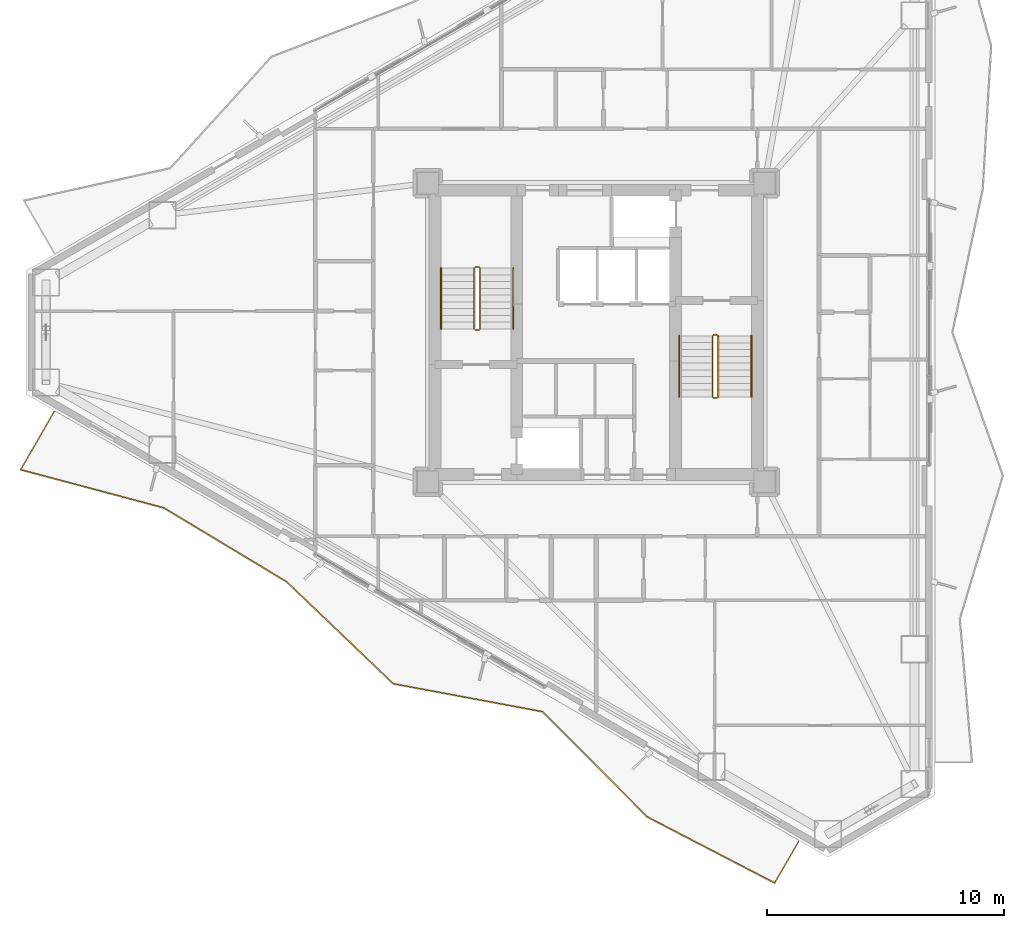
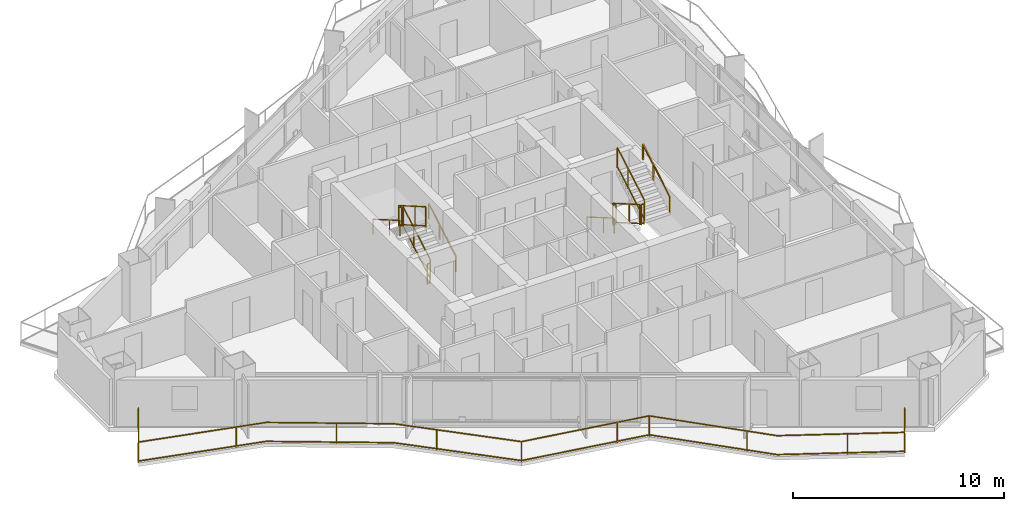
# One storey, part 22 of 23: 13 railings.
"""IFC4 building model written with IfcOpenShell, lengths in metres."""

from ifc_helpers import new_model, si_unit, direction, frame, origin, origin_2d, place, context, subcontext, project, spatial, rectangle, extrude, material, type_object, element, save


model = new_model("IFC4")

# Units and contexts
model_context = context("Model", 3, precision=1e-05, world=origin(), true_north=direction((0.0, 1.0)))
body_context = subcontext(model_context, "Body", "Model", "MODEL_VIEW")
ifc_project = project(units=[si_unit("LENGTHUNIT", "METRE"), si_unit("AREAUNIT", "SQUARE_METRE"), si_unit("VOLUMEUNIT", "CUBIC_METRE"), si_unit("PLANEANGLEUNIT", "RADIAN"), si_unit("MASSUNIT", "GRAM", prefix="KILO")], contexts=[model_context])

# Site, building, storey
site_placement = place(None, origin())
site = spatial("IfcSite", under=ifc_project, at=site_placement, CompositionType="ELEMENT")
building_placement = place(site_placement, origin())
building = spatial("IfcBuilding", under=site, at=building_placement, Name="Mersakhor Tower and Convention Hall", CompositionType="ELEMENT")
storey_placement = place(building_placement, frame((0.0, 0.0, 73.5)))
storey = spatial("IfcBuildingStorey", under=building, at=storey_placement, Name="L19", CompositionType="ELEMENT", Elevation=73.5)

# Railings
ifc_material_1 = material(Name="Powder-coated galvanised steel and laminated glass balustrade", Category="steel")
railing_type_1 = type_object("IfcRailingType", Name="RL-BAL-1200", PredefinedType="BALUSTRADE", material=ifc_material_1)
railing_1_placement = place(storey_placement, frame((6.1240234375, 23.4052734375, 0.0)))
element("IfcRailing", 1, at=railing_1_placement, inside=storey, type_object=railing_type_1, Name="L19 Sinusoidal Balcony Balustrade F3", PredefinedType="BALUSTRADE", context=body_context, shape_type="SweptSolid", body=[
    extrude(rectangle(XDim=0.048095703125, YDim=0.048095703125, at=origin_2d()), frame((0.0, 0.0, 1.17578125), z_axis=(-0.499947271324, -0.866055844559, 0.0), x_axis=(0.866055844559, -0.499947271324, 0.0)), (0.0, 0.0, 1.0), 2.820068359375),
    extrude(rectangle(XDim=0.048095703125, YDim=0.048095703125, at=origin_2d()), frame((0.0, 0.0, 0.080078125), z_axis=(-0.499947271324, -0.866055844559, 0.0), x_axis=(0.866055844559, -0.499947271324, 0.0)), (0.0, 0.0, 1.0), 2.820068359375),
    extrude(rectangle(XDim=0.048095703125, YDim=0.048095703125, at=origin_2d()), frame((-1.409912109375, -2.4423828125, 1.17578125), z_axis=(0.966227820604, -0.25768934532, 0.0), x_axis=(0.25768934532, 0.966227820604, 0.0)), (0.0, 0.0, 1.0), 6.261474609375),
    extrude(rectangle(XDim=0.048095703125, YDim=0.048095703125, at=origin_2d()), frame((-1.409912109375, -2.4423828125, 0.080078125), z_axis=(0.966227820604, -0.25768934532, 0.0), x_axis=(0.25768934532, 0.966227820604, 0.0)), (0.0, 0.0, 1.0), 6.261474609375),
    extrude(rectangle(XDim=0.048095703125, YDim=0.048095703125, at=origin_2d()), frame((4.64013671875, -4.055908203125, 1.17578125), z_axis=(0.856754644688, -0.515724227475, 0.0), x_axis=(0.515724227475, 0.856754644688, 0.0)), (0.0, 0.0, 1.0), 6.047119140625),
    extrude(rectangle(XDim=0.048095703125, YDim=0.048095703125, at=origin_2d()), frame((4.64013671875, -4.055908203125, 0.080078125), z_axis=(0.856754644688, -0.515724227475, 0.0), x_axis=(0.515724227475, 0.856754644688, 0.0)), (0.0, 0.0, 1.0), 6.047119140625),
    extrude(rectangle(XDim=0.048095703125, YDim=0.048095703125, at=origin_2d()), frame((9.821044921875, -7.174560546875, 1.17578125), z_axis=(0.722699783625, -0.691162081387, 0.0), x_axis=(0.691162081387, 0.722699783625, 0.0)), (0.0, 0.0, 1.0), 6.223876953125),
    extrude(rectangle(XDim=0.048095703125, YDim=0.048095703125, at=origin_2d()), frame((9.821044921875, -7.174560546875, 0.080078125), z_axis=(0.722699783625, -0.691162081387, 0.0), x_axis=(0.691162081387, 0.722699783625, 0.0)), (0.0, 0.0, 1.0), 6.223876953125),
    extrude(rectangle(XDim=0.048095703125, YDim=0.048095703125, at=origin_2d()), frame((14.319091796875, -11.476318359375, 1.17578125), z_axis=(0.982934219197, -0.183957388357, 0.0), x_axis=(0.183957388357, 0.982934219197, 0.0)), (0.0, 0.0, 1.0), 6.41015625),
    extrude(rectangle(XDim=0.048095703125, YDim=0.048095703125, at=origin_2d()), frame((14.319091796875, -11.476318359375, 0.080078125), z_axis=(0.982934219197, -0.183957388357, 0.0), x_axis=(0.183957388357, 0.982934219197, 0.0)), (0.0, 0.0, 1.0), 6.41015625),
    extrude(rectangle(XDim=0.048095703125, YDim=0.048095703125, at=origin_2d()), frame((20.619873046875, -12.655517578125, 1.17578125), z_axis=(0.705389657667, -0.708819744968, 0.0), x_axis=(0.708819744968, 0.705389657667, 0.0)), (0.0, 0.0, 1.0), 6.263427734375),
    extrude(rectangle(XDim=0.048095703125, YDim=0.048095703125, at=origin_2d()), frame((20.619873046875, -12.655517578125, 0.080078125), z_axis=(0.705389657667, -0.708819744968, 0.0), x_axis=(0.708819744968, 0.705389657667, 0.0)), (0.0, 0.0, 1.0), 6.263427734375),
    extrude(rectangle(XDim=0.048095703125, YDim=0.048095703125, at=origin_2d()), frame((25.0380859375, -17.09521484375, 1.17578125), z_axis=(0.887664158638, -0.460491413024, 0.0), x_axis=(0.460491413024, 0.887664158638, 0.0)), (0.0, 0.0, 1.0), 6.052490234375),
    extrude(rectangle(XDim=0.048095703125, YDim=0.048095703125, at=origin_2d()), frame((25.0380859375, -17.09521484375, 0.080078125), z_axis=(0.887664158638, -0.460491413024, 0.0), x_axis=(0.460491413024, 0.887664158638, 0.0)), (0.0, 0.0, 1.0), 6.052490234375),
    extrude(rectangle(XDim=0.048095703125, YDim=0.048095703125, at=origin_2d()), frame((30.41064453125, -19.88232421875, 1.17578125), z_axis=(0.499960381356, 0.866048276411, 0.0), x_axis=(-0.866048276411, 0.499960381356, 0.0)), (0.0, 0.0, 1.0), 2.013427734375),
    extrude(rectangle(XDim=0.048095703125, YDim=0.048095703125, at=origin_2d()), frame((30.41064453125, -19.88232421875, 0.080078125), z_axis=(0.499960381356, 0.866048276411, 0.0), x_axis=(-0.866048276411, 0.499960381356, 0.0)), (0.0, 0.0, 1.0), 2.013427734375),
    extrude(rectangle(XDim=0.0419921875, YDim=0.0419921875, at=origin_2d()), origin(), (0.0, 0.0, 1.0), 1.15185546875),
    extrude(rectangle(XDim=0.0419921875, YDim=0.0419921875, at=origin_2d()), frame((-1.409912109375, -2.4423828125, 0.0)), (0.0, 0.0, 1.0), 1.15185546875),
    extrude(rectangle(XDim=0.0419921875, YDim=0.0419921875, at=origin_2d()), frame((3.22802734375, -3.67919921875, 0.0)), (0.0, 0.0, 1.0), 1.15185546875),
    extrude(rectangle(XDim=0.0419921875, YDim=0.0419921875, at=origin_2d()), frame((7.50048828125, -5.777587890625, 0.0)), (0.0, 0.0, 1.0), 1.15185546875),
    extrude(rectangle(XDim=0.0419921875, YDim=0.0419921875, at=origin_2d()), frame((11.33251953125, -8.6201171875, 0.0)), (0.0, 0.0, 1.0), 1.15185546875),
    extrude(rectangle(XDim=0.0419921875, YDim=0.0419921875, at=origin_2d()), frame((14.319091796875, -11.476318359375, 0.0)), (0.0, 0.0, 1.0), 1.15185546875),
    extrude(rectangle(XDim=0.0419921875, YDim=0.0419921875, at=origin_2d()), frame((19.037109375, -12.359375, 0.0)), (0.0, 0.0, 1.0), 1.15185546875),
    extrude(rectangle(XDim=0.0419921875, YDim=0.0419921875, at=origin_2d()), frame((20.619873046875, -12.655517578125, 0.0)), (0.0, 0.0, 1.0), 1.15185546875),
    extrude(rectangle(XDim=0.0419921875, YDim=0.0419921875, at=origin_2d()), frame((24.005859375, -16.057861328125, 0.0)), (0.0, 0.0, 1.0), 1.15185546875),
    extrude(rectangle(XDim=0.0419921875, YDim=0.0419921875, at=origin_2d()), frame((27.999755859375, -18.631591796875, 0.0)), (0.0, 0.0, 1.0), 1.15185546875),
    extrude(rectangle(XDim=0.0419921875, YDim=0.0419921875, at=origin_2d()), frame((30.41064453125, -19.88232421875, 0.0)), (0.0, 0.0, 1.0), 1.15185546875),
    extrude(rectangle(XDim=0.0419921875, YDim=0.0419921875, at=origin_2d()), frame((31.417236328125, -18.138671875, 0.0)), (0.0, 0.0, 1.0), 1.15185546875),
])
ifc_material_2 = material(Name="Brushed stainless steel handrail", Category="steel")
railing_type_2 = type_object("IfcRailingType", Name="RL-HR-900", PredefinedType="HANDRAIL", material=ifc_material_2)
railing_2_placement = place(storey_placement, frame((25.5, 26.89990234375, 0.1650390625)))
element("IfcRailing", 2, at=railing_2_placement, inside=storey, type_object=railing_type_2, Name="L19 ST-1 stair handrail 1", PredefinedType="HANDRAIL", context=body_context, shape_type="SweptSolid", body=[
    extrude(rectangle(XDim=0.048095703125, YDim=0.048095703125, at=origin_2d()), frame((0.0, 0.0, 0.8759765625), z_axis=(0.0, 0.865461999751, 0.500974577186), x_axis=(-1.0, 0.0, 0.0)), (0.0, 0.0, 1.0), 2.9638671875),
    extrude(rectangle(XDim=0.0419921875, YDim=0.0419921875, at=origin_2d()), origin(), (0.0, 0.0, 1.0), 0.851806640625),
    extrude(rectangle(XDim=0.0419921875, YDim=0.0419921875, at=origin_2d()), frame((0.0, 1.557861328125, 0.90185546875)), (0.0, 0.0, 1.0), 0.851806640625),
    extrude(rectangle(XDim=0.0419921875, YDim=0.0419921875, at=origin_2d()), frame((0.0, 2.565185546875, 1.48486328125)), (0.0, 0.0, 1.0), 0.851806640625),
])
railing_3_placement = place(storey_placement, frame((22.449951171875, 29.465087890625, 1.81494140625)))
element("IfcRailing", 3, at=railing_3_placement, inside=storey, type_object=railing_type_2, Name="L19 ST-1 stair handrail 2", PredefinedType="HANDRAIL", context=body_context, shape_type="SweptSolid", body=[
    extrude(rectangle(XDim=0.048095703125, YDim=0.048095703125, at=origin_2d()), frame((0.0, 0.0, 0.8759765625), z_axis=(0.0, -0.865426285481, 0.501036270542), x_axis=(1.0, 0.0, 0.0)), (0.0, 0.0, 1.0), 2.964111328125),
    extrude(rectangle(XDim=0.0419921875, YDim=0.0419921875, at=origin_2d()), origin(), (0.0, 0.0, 1.0), 0.851806640625),
    extrude(rectangle(XDim=0.0419921875, YDim=0.0419921875, at=origin_2d()), frame((0.0, -1.557861328125, 0.90185546875)), (0.0, 0.0, 1.0), 0.851806640625),
    extrude(rectangle(XDim=0.0419921875, YDim=0.0419921875, at=origin_2d()), frame((0.0, -2.565185546875, 1.485107421875)), (0.0, 0.0, 1.0), 0.851806640625),
])
railing_4_placement = place(storey_placement, frame((32.5, 26.60009765625, 0.1650390625)))
element("IfcRailing", 4, at=railing_4_placement, inside=storey, type_object=railing_type_2, Name="L19 ST-2 stair handrail 1", PredefinedType="HANDRAIL", context=body_context, shape_type="SweptSolid", body=[
    extrude(rectangle(XDim=0.048095703125, YDim=0.048095703125, at=origin_2d()), frame((0.0, 0.0, 0.8759765625), z_axis=(0.0, -0.865461999751, 0.500974577186), x_axis=(1.0, 0.0, 0.0)), (0.0, 0.0, 1.0), 2.9638671875),
    extrude(rectangle(XDim=0.0419921875, YDim=0.0419921875, at=origin_2d()), origin(), (0.0, 0.0, 1.0), 0.851806640625),
    extrude(rectangle(XDim=0.0419921875, YDim=0.0419921875, at=origin_2d()), frame((0.0, -1.557861328125, 0.90185546875)), (0.0, 0.0, 1.0), 0.851806640625),
    extrude(rectangle(XDim=0.0419921875, YDim=0.0419921875, at=origin_2d()), frame((0.0, -2.565185546875, 1.48486328125)), (0.0, 0.0, 1.0), 0.851806640625),
])
railing_5_placement = place(storey_placement, frame((35.550048828125, 24.034912109375, 1.81494140625)))
element("IfcRailing", 5, at=railing_5_placement, inside=storey, type_object=railing_type_2, Name="L19 ST-2 stair handrail 2", PredefinedType="HANDRAIL", context=body_context, shape_type="SweptSolid", body=[
    extrude(rectangle(XDim=0.048095703125, YDim=0.048095703125, at=origin_2d()), frame((0.0, 0.0, 0.8759765625), z_axis=(0.0, 0.865426285481, 0.501036270542), x_axis=(-1.0, 0.0, 0.0)), (0.0, 0.0, 1.0), 2.964111328125),
    extrude(rectangle(XDim=0.0419921875, YDim=0.0419921875, at=origin_2d()), origin(), (0.0, 0.0, 1.0), 0.851806640625),
    extrude(rectangle(XDim=0.0419921875, YDim=0.0419921875, at=origin_2d()), frame((0.0, 1.557861328125, 0.90185546875)), (0.0, 0.0, 1.0), 0.851806640625),
    extrude(rectangle(XDim=0.0419921875, YDim=0.0419921875, at=origin_2d()), frame((0.0, 2.565185546875, 1.485107421875)), (0.0, 0.0, 1.0), 0.851806640625),
])
ifc_material_3 = material(Name="Painted steel stair balustrade S355", Category="steel")
railing_type_3 = type_object("IfcRailingType", Name="RL-STG-1200", PredefinedType="BALUSTRADE", material=ifc_material_3)
railing_6_placement = place(storey_placement, frame((24.10009765625, 26.89990234375, 0.1650390625)))
element("IfcRailing", 6, at=railing_6_placement, inside=storey, type_object=railing_type_3, Name="L19 ST-1 stair guard 1", PredefinedType="BALUSTRADE", context=body_context, shape_type="SweptSolid", body=[
    extrude(rectangle(XDim=0.048095703125, YDim=0.048095703125, at=origin_2d()), frame((0.0, 0.0, 1.17578125), z_axis=(0.0, 0.865461999751, 0.500974577186), x_axis=(-1.0, 0.0, 0.0)), (0.0, 0.0, 1.0), 2.9638671875),
    extrude(rectangle(XDim=0.048095703125, YDim=0.048095703125, at=origin_2d()), frame((0.0, 0.0, 0.080078125), z_axis=(0.0, 0.865461999751, 0.500974577186), x_axis=(-1.0, 0.0, 0.0)), (0.0, 0.0, 1.0), 2.9638671875),
    extrude(rectangle(XDim=0.0419921875, YDim=0.0419921875, at=origin_2d()), origin(), (0.0, 0.0, 1.0), 1.15185546875),
    extrude(rectangle(XDim=0.0419921875, YDim=0.0419921875, at=origin_2d()), frame((0.0, 1.557861328125, 0.90185546875)), (0.0, 0.0, 1.0), 1.15185546875),
    extrude(rectangle(XDim=0.0419921875, YDim=0.0419921875, at=origin_2d()), frame((0.0, 2.565185546875, 1.48486328125)), (0.0, 0.0, 1.0), 1.15185546875),
])
railing_7_placement = place(storey_placement, frame((24.050048828125, 29.514892578125, 1.64990234375)))
element("IfcRailing", 7, at=railing_7_placement, inside=storey, type_object=railing_type_3, Name="L19 ST-1 stair guard 2", PredefinedType="BALUSTRADE", context=body_context, shape_type="SweptSolid", body=[
    extrude(rectangle(XDim=0.048095703125, YDim=0.048095703125, at=origin_2d()), frame((0.0, 0.0, 1.17578125), z_axis=(-1.0, 0.0, 0.0), x_axis=(0.0, -1.0, 0.0)), (0.0, 0.0, 1.0), 0.150146484375),
    extrude(rectangle(XDim=0.048095703125, YDim=0.048095703125, at=origin_2d()), frame((0.0, 0.0, 0.080078125), z_axis=(-1.0, 0.0, 0.0), x_axis=(0.0, -1.0, 0.0)), (0.0, 0.0, 1.0), 0.150146484375),
    extrude(rectangle(XDim=0.0419921875, YDim=0.0419921875, at=origin_2d()), origin(), (0.0, 0.0, 1.0), 1.15185546875),
    extrude(rectangle(XDim=0.0419921875, YDim=0.0419921875, at=origin_2d()), frame((-0.150146484375, 0.0, 0.0)), (0.0, 0.0, 1.0), 1.15185546875),
])
railing_8_placement = place(storey_placement, frame((23.85009765625, 29.465087890625, 1.81494140625)))
element("IfcRailing", 8, at=railing_8_placement, inside=storey, type_object=railing_type_3, Name="L19 ST-1 stair guard 3", PredefinedType="BALUSTRADE", context=body_context, shape_type="SweptSolid", body=[
    extrude(rectangle(XDim=0.048095703125, YDim=0.048095703125, at=origin_2d()), frame((0.0, 0.0, 1.17578125), z_axis=(0.0, -0.865426285481, 0.501036270542), x_axis=(1.0, 0.0, 0.0)), (0.0, 0.0, 1.0), 2.964111328125),
    extrude(rectangle(XDim=0.048095703125, YDim=0.048095703125, at=origin_2d()), frame((0.0, 0.0, 0.080078125), z_axis=(0.0, -0.865426285481, 0.501036270542), x_axis=(1.0, 0.0, 0.0)), (0.0, 0.0, 1.0), 2.964111328125),
    extrude(rectangle(XDim=0.0419921875, YDim=0.0419921875, at=origin_2d()), origin(), (0.0, 0.0, 1.0), 1.15185546875),
    extrude(rectangle(XDim=0.0419921875, YDim=0.0419921875, at=origin_2d()), frame((0.0, -1.557861328125, 0.90185546875)), (0.0, 0.0, 1.0), 1.15185546875),
    extrude(rectangle(XDim=0.0419921875, YDim=0.0419921875, at=origin_2d()), frame((0.0, -2.565185546875, 1.485107421875)), (0.0, 0.0, 1.0), 1.15185546875),
])
railing_9_placement = place(storey_placement, frame((24.050048828125, 26.85009765625, 0.0)))
element("IfcRailing", 9, at=railing_9_placement, inside=storey, type_object=railing_type_3, Name="L19 ST-1 stair guard 4", PredefinedType="BALUSTRADE", context=body_context, shape_type="SweptSolid", body=[
    extrude(rectangle(XDim=0.048095703125, YDim=0.048095703125, at=origin_2d()), frame((0.0, 0.0, 1.17578125), z_axis=(-1.0, 0.0, 0.0), x_axis=(0.0, -1.0, 0.0)), (0.0, 0.0, 1.0), 0.150146484375),
    extrude(rectangle(XDim=0.048095703125, YDim=0.048095703125, at=origin_2d()), frame((0.0, 0.0, 0.080078125), z_axis=(-1.0, 0.0, 0.0), x_axis=(0.0, -1.0, 0.0)), (0.0, 0.0, 1.0), 0.150146484375),
    extrude(rectangle(XDim=0.0419921875, YDim=0.0419921875, at=origin_2d()), origin(), (0.0, 0.0, 1.0), 1.15185546875),
    extrude(rectangle(XDim=0.0419921875, YDim=0.0419921875, at=origin_2d()), frame((-0.150146484375, 0.0, 0.0)), (0.0, 0.0, 1.0), 1.15185546875),
])
railing_10_placement = place(storey_placement, frame((33.89990234375, 26.60009765625, 0.1650390625)))
element("IfcRailing", 10, at=railing_10_placement, inside=storey, type_object=railing_type_3, Name="L19 ST-2 stair guard 1", PredefinedType="BALUSTRADE", context=body_context, shape_type="SweptSolid", body=[
    extrude(rectangle(XDim=0.048095703125, YDim=0.048095703125, at=origin_2d()), frame((0.0, 0.0, 1.17578125), z_axis=(0.0, -0.865461999751, 0.500974577186), x_axis=(1.0, 0.0, 0.0)), (0.0, 0.0, 1.0), 2.9638671875),
    extrude(rectangle(XDim=0.048095703125, YDim=0.048095703125, at=origin_2d()), frame((0.0, 0.0, 0.080078125), z_axis=(0.0, -0.865461999751, 0.500974577186), x_axis=(1.0, 0.0, 0.0)), (0.0, 0.0, 1.0), 2.9638671875),
    extrude(rectangle(XDim=0.0419921875, YDim=0.0419921875, at=origin_2d()), origin(), (0.0, 0.0, 1.0), 1.15185546875),
    extrude(rectangle(XDim=0.0419921875, YDim=0.0419921875, at=origin_2d()), frame((0.0, -1.557861328125, 0.90185546875)), (0.0, 0.0, 1.0), 1.15185546875),
    extrude(rectangle(XDim=0.0419921875, YDim=0.0419921875, at=origin_2d()), frame((0.0, -2.565185546875, 1.48486328125)), (0.0, 0.0, 1.0), 1.15185546875),
])
railing_11_placement = place(storey_placement, frame((33.949951171875, 23.985107421875, 1.64990234375)))
element("IfcRailing", 11, at=railing_11_placement, inside=storey, type_object=railing_type_3, Name="L19 ST-2 stair guard 2", PredefinedType="BALUSTRADE", context=body_context, shape_type="SweptSolid", body=[
    extrude(rectangle(XDim=0.048095703125, YDim=0.048095703125, at=origin_2d()), frame((0.0, 0.0, 1.17578125), z_axis=(1.0, 0.0, 0.0), x_axis=(0.0, 1.0, 0.0)), (0.0, 0.0, 1.0), 0.150146484375),
    extrude(rectangle(XDim=0.048095703125, YDim=0.048095703125, at=origin_2d()), frame((0.0, 0.0, 0.080078125), z_axis=(1.0, 0.0, 0.0), x_axis=(0.0, 1.0, 0.0)), (0.0, 0.0, 1.0), 0.150146484375),
    extrude(rectangle(XDim=0.0419921875, YDim=0.0419921875, at=origin_2d()), origin(), (0.0, 0.0, 1.0), 1.15185546875),
    extrude(rectangle(XDim=0.0419921875, YDim=0.0419921875, at=origin_2d()), frame((0.150146484375, 0.0, 0.0)), (0.0, 0.0, 1.0), 1.15185546875),
])
railing_12_placement = place(storey_placement, frame((34.14990234375, 24.034912109375, 1.81494140625)))
element("IfcRailing", 12, at=railing_12_placement, inside=storey, type_object=railing_type_3, Name="L19 ST-2 stair guard 3", PredefinedType="BALUSTRADE", context=body_context, shape_type="SweptSolid", body=[
    extrude(rectangle(XDim=0.048095703125, YDim=0.048095703125, at=origin_2d()), frame((0.0, 0.0, 1.17578125), z_axis=(0.0, 0.865426285481, 0.501036270542), x_axis=(-1.0, 0.0, 0.0)), (0.0, 0.0, 1.0), 2.964111328125),
    extrude(rectangle(XDim=0.048095703125, YDim=0.048095703125, at=origin_2d()), frame((0.0, 0.0, 0.080078125), z_axis=(0.0, 0.865426285481, 0.501036270542), x_axis=(-1.0, 0.0, 0.0)), (0.0, 0.0, 1.0), 2.964111328125),
    extrude(rectangle(XDim=0.0419921875, YDim=0.0419921875, at=origin_2d()), origin(), (0.0, 0.0, 1.0), 1.15185546875),
    extrude(rectangle(XDim=0.0419921875, YDim=0.0419921875, at=origin_2d()), frame((0.0, 1.557861328125, 0.90185546875)), (0.0, 0.0, 1.0), 1.15185546875),
    extrude(rectangle(XDim=0.0419921875, YDim=0.0419921875, at=origin_2d()), frame((0.0, 2.565185546875, 1.485107421875)), (0.0, 0.0, 1.0), 1.15185546875),
])
railing_13_placement = place(storey_placement, frame((33.949951171875, 26.64990234375, 0.0)))
element("IfcRailing", 13, at=railing_13_placement, inside=storey, type_object=railing_type_3, Name="L19 ST-2 stair guard 4", PredefinedType="BALUSTRADE", context=body_context, shape_type="SweptSolid", body=[
    extrude(rectangle(XDim=0.048095703125, YDim=0.048095703125, at=origin_2d()), frame((0.0, 0.0, 1.17578125), z_axis=(1.0, 0.0, 0.0), x_axis=(0.0, 1.0, 0.0)), (0.0, 0.0, 1.0), 0.150146484375),
    extrude(rectangle(XDim=0.048095703125, YDim=0.048095703125, at=origin_2d()), frame((0.0, 0.0, 0.080078125), z_axis=(1.0, 0.0, 0.0), x_axis=(0.0, 1.0, 0.0)), (0.0, 0.0, 1.0), 0.150146484375),
    extrude(rectangle(XDim=0.0419921875, YDim=0.0419921875, at=origin_2d()), origin(), (0.0, 0.0, 1.0), 1.15185546875),
    extrude(rectangle(XDim=0.0419921875, YDim=0.0419921875, at=origin_2d()), frame((0.150146484375, 0.0, 0.0)), (0.0, 0.0, 1.0), 1.15185546875),
])

save(model, "model.ifc")
